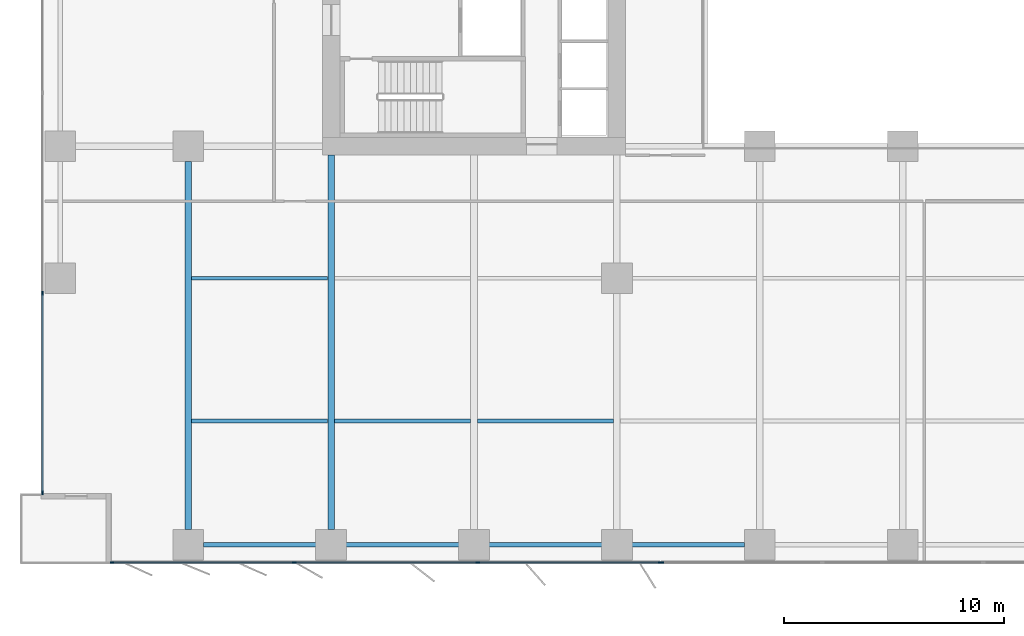
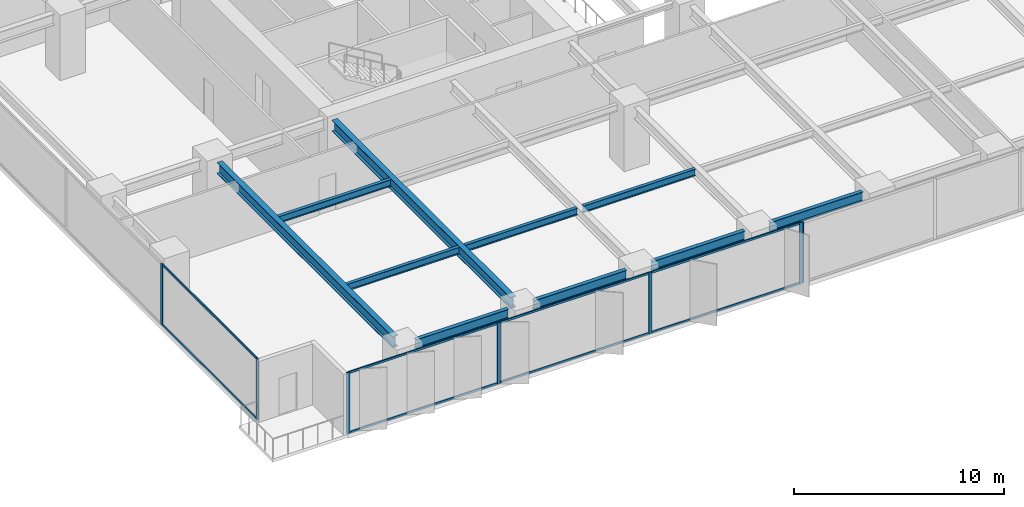
# One storey, part 2 of 20: 15 members, 10 beams, 3 elements without a shape of their own.
"""IFC4 building model written with IfcOpenShell, lengths in metres."""

from ifc_helpers import new_model, si_unit, direction, frame, origin, origin_2d, place, context, subcontext, project, spatial, rectangle, i_section, extrude, material, layer, layer_set, material_profile, profile_set, type_object, element, aggregate, save


model = new_model("IFC4")

# Units and contexts
model_context = context("Model", 3, precision=1e-05, world=origin(), true_north=direction((0.0, 1.0)))
body_context = subcontext(model_context, "Body", "Model", "MODEL_VIEW")
ifc_project = project(units=[si_unit("LENGTHUNIT", "METRE"), si_unit("AREAUNIT", "SQUARE_METRE"), si_unit("VOLUMEUNIT", "CUBIC_METRE"), si_unit("PLANEANGLEUNIT", "RADIAN"), si_unit("MASSUNIT", "GRAM", prefix="KILO")], contexts=[model_context])

# Site, building, storey
site_placement = place(None, origin())
site = spatial("IfcSite", under=ifc_project, at=site_placement, CompositionType="ELEMENT")
building_placement = place(site_placement, origin())
building = spatial("IfcBuilding", under=site, at=building_placement, Name="Putna Gate Headquarters", CompositionType="ELEMENT")
storey_placement = place(building_placement, frame((0.0, 0.0, 27.800048828125)))
storey = spatial("IfcBuildingStorey", under=building, at=storey_placement, Name="L05", CompositionType="ELEMENT", Elevation=27.800048828125)

# Beams
ifc_material_1 = material(Name="Steel S355J2", Category="steel")
ifc_material_profile_1 = material_profile(ifc_material_1, i_section(OverallWidth=0.300048828125, OverallDepth=0.64990234375, WebThickness=0.01611328125, FlangeThickness=0.031005859375, at=origin_2d()), Name="Steel S355J2")
ifc_profile_set_1 = profile_set([ifc_material_profile_1], Name="Steel S355J2")
beam_type_1 = type_object("IfcBeamType", Name="BM-GIRD-Z1-HEB650", PredefinedType="USERDEFINED", material=ifc_profile_set_1)
beam_1_placement = place(storey_placement, frame((6.5, 1.568115234375, 3.224853515625), z_axis=(0.0, 1.0, 0.0), x_axis=(-1.0, 0.0, 0.0)))
element("IfcBeam", 1, at=beam_1_placement, inside=storey, type_object=beam_type_1, Name="L05 South Primary Girder X6", ObjectType="GIRDER", PredefinedType="USERDEFINED", context=body_context, shape_type="SweptSolid", body=[
    extrude(i_section(OverallWidth=0.300048828125, OverallDepth=0.64990234375, WebThickness=0.01611328125, FlangeThickness=0.031005859375, at=origin_2d()), origin(), (0.0, 0.0, 1.0), 16.743896484375),
])
beam_2_placement = place(storey_placement, frame((13.0, 1.568115234375, 3.224853515625), z_axis=(0.0, 1.0, 0.0), x_axis=(-1.0, 0.0, 0.0)))
element("IfcBeam", 2, at=beam_2_placement, inside=storey, type_object=beam_type_1, Name="L05 South Primary Girder X13", ObjectType="GIRDER", PredefinedType="USERDEFINED", context=body_context, shape_type="SweptSolid", body=[
    extrude(i_section(OverallWidth=0.300048828125, OverallDepth=0.64990234375, WebThickness=0.01611328125, FlangeThickness=0.031005859375, at=origin_2d()), origin(), (0.0, 0.0, 1.0), 17.046875),
])
ifc_material_profile_2 = material_profile(ifc_material_1, i_section(OverallWidth=0.179931640625, OverallDepth=0.39990234375, WebThickness=0.008544921875, FlangeThickness=0.013427734375, at=origin_2d()), Name="Steel S355J2")
ifc_profile_set_2 = profile_set([ifc_material_profile_2], Name="Steel S355J2")
beam_type_2 = type_object("IfcBeamType", Name="BM-SEC-Z1-IPE400", PredefinedType="BEAM", material=ifc_profile_set_2)
for number, where, z_axis, x_axis, name in (
    (3, (6.654052734375, 6.5, 3.349853515625), (1.0, 0.0, 0.0), (0.0, 1.0, 0.0), "L05 South Secondary Beam 1"),
    (4, (6.654052734375, 13.0, 3.349853515625), (1.0, 0.0, 0.0), (0.0, 1.0, 0.0), "L05 South Secondary Beam 1"),
    (5, (13.154052734375, 6.5, 3.349853515625), (1.0, 0.0, 0.0), (0.0, 1.0, 0.0), "L05 South Secondary Beam 2"),
    (6, (19.654052734375, 6.5, 3.349853515625), (1.0, 0.0, 0.0), (0.0, 1.0, 0.0), "L05 South Secondary Beam 3"),
):
    element("IfcBeam", number, at=place(storey_placement, frame(where, z_axis=z_axis, x_axis=x_axis)), inside=storey, type_object=beam_type_2, Name=name, PredefinedType="BEAM", context=body_context, shape_type="SweptSolid", body=[
        extrude(i_section(OverallWidth=0.179931640625, OverallDepth=0.39990234375, WebThickness=0.008544921875, FlangeThickness=0.013427734375, at=origin_2d()), origin(), (0.0, 0.0, 1.0), 6.19189453125),
    ])
ifc_material_profile_3 = material_profile(ifc_material_1, i_section(OverallWidth=0.2099609375, OverallDepth=0.550048828125, WebThickness=0.010986328125, FlangeThickness=0.01708984375, at=origin_2d()), Name="Steel S355J2")
ifc_profile_set_3 = profile_set([ifc_material_profile_3], Name="Steel S355J2")
beam_type_3 = type_object("IfcBeamType", Name="BM-SPAN-Z1-IPE550", PredefinedType="SPANDREL", material=ifc_profile_set_3)
for number, where, z_axis, x_axis, name in (
    (7, (7.18798828125, 0.8798828125, 3.27490234375), (1.0, 0.0, 0.0), (0.0, 1.0, 0.0), "L05 S Perimeter Spandrel 1"),
    (8, (13.68798828125, 0.8798828125, 3.27490234375), (1.0, 0.0, 0.0), (0.0, 1.0, 0.0), "L05 S Perimeter Spandrel 2"),
    (9, (20.18798828125, 0.8798828125, 3.27490234375), (1.0, 0.0, 0.0), (0.0, 1.0, 0.0), "L05 S Perimeter Spandrel 3"),
    (10, (26.68798828125, 0.8798828125, 3.27490234375), (1.0, 0.0, 0.0), (0.0, 1.0, 0.0), "L05 S Perimeter Spandrel 4"),
):
    element("IfcBeam", number, at=place(storey_placement, frame(where, z_axis=z_axis, x_axis=x_axis)), inside=storey, type_object=beam_type_3, Name=name, PredefinedType="SPANDREL", context=body_context, shape_type="SweptSolid", body=[
        extrude(i_section(OverallWidth=0.2099609375, OverallDepth=0.550048828125, WebThickness=0.010986328125, FlangeThickness=0.01708984375, at=origin_2d()), origin(), (0.0, 0.0, 1.0), 5.1240234375),
    ])

# Curtain wall, members
ifc_material_2 = material(Name="Anodised bronze aluminium curtain wall", Category="aluminium")
ifc_layer_1 = layer(ifc_material_2, 0.179931640625)
ifc_layer_set_1 = layer_set([ifc_layer_1], Name="Anodised bronze aluminium curtain wall")
curtain_wall_type_1 = type_object("IfcCurtainWallType", Name="CW-SYS-Z1", PredefinedType="USERDEFINED", material=ifc_layer_set_1)
curtain_wall_1_placement = place(storey_placement, origin())
curtain_wall_1 = element("IfcCurtainWall", 11, at=curtain_wall_1_placement, inside=storey, type_object=curtain_wall_type_1, Name="L05 South West Curtain Wall", ObjectType="STICK CURTAIN WALL", PredefinedType="USERDEFINED")
ifc_material_3 = material(Name="Anodised bronze aluminium EN AW-6060", Category="aluminium")
ifc_material_profile_4 = material_profile(ifc_material_3, rectangle(XDim=0.070068359375, YDim=0.179931640625, at=origin_2d()), Name="Anodised bronze aluminium EN AW-6060")
ifc_profile_set_4 = profile_set([ifc_material_profile_4], Name="Anodised bronze aluminium EN AW-6060")
member_type_1 = type_object("IfcMemberType", Name="MULL-CWM-1", PredefinedType="MULLION", material=ifc_profile_set_4)
member_1_placement = place(storey_placement, frame((3.034912109375, 0.080078125, 0.0), z_axis=(0.0, 0.0, 1.0), x_axis=(0.0, 1.0, 0.0)))
member_1 = element("IfcMember", 12, at=member_1_placement, type_object=member_type_1, Name="CWS-1 mullion 1", PredefinedType="MULLION", context=body_context, shape_type="SweptSolid", body=[
    extrude(rectangle(XDim=0.070068359375, YDim=0.179931640625, at=origin_2d()), origin(), (0.0, 0.0, 1.0), 3.550048828125),
])
member_2_placement = place(storey_placement, frame((11.333251953125, 0.080078125, 0.0), z_axis=(0.0, 0.0, 1.0), x_axis=(0.0, 1.0, 0.0)))
member_2 = element("IfcMember", 13, at=member_2_placement, type_object=member_type_1, Name="CWS-1 mullion 2", PredefinedType="MULLION", context=body_context, shape_type="SweptSolid", body=[
    extrude(rectangle(XDim=0.070068359375, YDim=0.179931640625, at=origin_2d()), origin(), (0.0, 0.0, 1.0), 3.550048828125),
])
member_3_placement = place(storey_placement, frame((19.666748046875, 0.080078125, 0.0), z_axis=(0.0, 0.0, 1.0), x_axis=(0.0, 1.0, 0.0)))
member_3 = element("IfcMember", 14, at=member_3_placement, type_object=member_type_1, Name="CWS-1 mullion 3", PredefinedType="MULLION", context=body_context, shape_type="SweptSolid", body=[
    extrude(rectangle(XDim=0.070068359375, YDim=0.179931640625, at=origin_2d()), origin(), (0.0, 0.0, 1.0), 3.550048828125),
])
member_4_placement = place(storey_placement, frame((27.965087890625, 0.080078125, 0.0), z_axis=(0.0, 0.0, 1.0), x_axis=(0.0, 1.0, 0.0)))
member_4 = element("IfcMember", 15, at=member_4_placement, type_object=member_type_1, Name="CWS-1 mullion 4", PredefinedType="MULLION", context=body_context, shape_type="SweptSolid", body=[
    extrude(rectangle(XDim=0.070068359375, YDim=0.179931640625, at=origin_2d()), origin(), (0.0, 0.0, 1.0), 3.550048828125),
])

curtain_wall_2_placement = place(storey_placement, origin())
curtain_wall_2 = element("IfcCurtainWall", 16, at=curtain_wall_2_placement, inside=storey, type_object=curtain_wall_type_1, Name="L05 West Curtain Wall", ObjectType="STICK CURTAIN WALL", PredefinedType="USERDEFINED")
member_5_placement = place(storey_placement, frame((-0.1201171875, 3.235107421875, 0.0), z_axis=(0.0, 0.0, 1.0), x_axis=(-1.0, 0.0, 0.0)))
member_5 = element("IfcMember", 17, at=member_5_placement, type_object=member_type_1, Name="CWS-1 mullion 1", PredefinedType="MULLION", context=body_context, shape_type="SweptSolid", body=[
    extrude(rectangle(XDim=0.070068359375, YDim=0.179931640625, at=origin_2d()), origin(), (0.0, 0.0, 1.0), 3.550048828125),
])
member_6_placement = place(storey_placement, frame((-0.1201171875, 12.320068359375, 0.0), z_axis=(0.0, 0.0, 1.0), x_axis=(-1.0, 0.0, 0.0)))
member_6 = element("IfcMember", 18, at=member_6_placement, type_object=member_type_1, Name="CWS-1 mullion 2", PredefinedType="MULLION", context=body_context, shape_type="SweptSolid", body=[
    extrude(rectangle(XDim=0.070068359375, YDim=0.179931640625, at=origin_2d()), origin(), (0.0, 0.0, 1.0), 3.550048828125),
])

# Curtain wall, member
ifc_layer_2 = layer(ifc_material_2, 0.179931640625)
ifc_layer_set_2 = layer_set([ifc_layer_2], Name="Anodised bronze aluminium curtain wall")
curtain_wall_type_2 = type_object("IfcCurtainWallType", Name="CW-SYS-ATR", PredefinedType="USERDEFINED", material=ifc_layer_set_2)
curtain_wall_3_placement = place(storey_placement, origin())
curtain_wall_3 = element("IfcCurtainWall", 19, at=curtain_wall_3_placement, inside=storey, type_object=curtain_wall_type_2, Name="L05 South Atrium Clear Glazing", ObjectType="ATRIUM GLAZING", PredefinedType="USERDEFINED")
ifc_material_profile_5 = material_profile(ifc_material_3, rectangle(XDim=0.070068359375, YDim=0.179931640625, at=origin_2d()), Name="Anodised bronze aluminium EN AW-6060")
ifc_profile_set_5 = profile_set([ifc_material_profile_5], Name="Anodised bronze aluminium EN AW-6060")
member_type_2 = type_object("IfcMemberType", Name="MULL-CWM-AT", PredefinedType="MULLION", material=ifc_profile_set_5)
member_7_placement = place(storey_placement, frame((28.034912109375, 0.080078125, 0.0), z_axis=(0.0, 0.0, 1.0), x_axis=(0.0, 1.0, 0.0)))
member_7 = element("IfcMember", 20, at=member_7_placement, type_object=member_type_2, Name="CWS-AT mullion 1", PredefinedType="MULLION", context=body_context, shape_type="SweptSolid", body=[
    extrude(rectangle(XDim=0.070068359375, YDim=0.179931640625, at=origin_2d()), origin(), (0.0, 0.0, 1.0), 3.550048828125),
])
aggregate(curtain_wall_3, [member_7])

# Member
ifc_material_profile_6 = material_profile(ifc_material_3, rectangle(XDim=0.06494140625, YDim=0.1201171875, at=origin_2d()), Name="Anodised bronze aluminium EN AW-6060")
ifc_profile_set_6 = profile_set([ifc_material_profile_6], Name="Anodised bronze aluminium EN AW-6060")
member_type_3 = type_object("IfcMemberType", Name="TRAN-CWT-1", PredefinedType="USERDEFINED", material=ifc_profile_set_6)
member_8_placement = place(storey_placement, frame((3.070068359375, 0.080078125, 0.032470703125), z_axis=(1.0, 0.0, 0.0), x_axis=(0.0, 1.0, 0.0)))
member_8 = element("IfcMember", 21, at=member_8_placement, type_object=member_type_3, Name="CWS-1 transom 1.1", ObjectType="TRANSOM", PredefinedType="USERDEFINED", context=body_context, shape_type="SweptSolid", body=[
    extrude(rectangle(XDim=0.06494140625, YDim=0.1201171875, at=origin_2d()), origin(), (0.0, 0.0, 1.0), 8.228271484375),
])

member_9_placement = place(storey_placement, frame((3.070068359375, 0.080078125, 3.517333984375), z_axis=(1.0, 0.0, 0.0), x_axis=(0.0, 1.0, 0.0)))
member_9 = element("IfcMember", 22, at=member_9_placement, type_object=member_type_3, Name="CWS-1 transom 1.2", ObjectType="TRANSOM", PredefinedType="USERDEFINED", context=body_context, shape_type="SweptSolid", body=[
    extrude(rectangle(XDim=0.06494140625, YDim=0.1201171875, at=origin_2d()), origin(), (0.0, 0.0, 1.0), 8.228271484375),
])

member_10_placement = place(storey_placement, frame((11.368408203125, 0.080078125, 0.032470703125), z_axis=(1.0, 0.0, 0.0), x_axis=(0.0, 1.0, 0.0)))
member_10 = element("IfcMember", 23, at=member_10_placement, type_object=member_type_3, Name="CWS-1 transom 2.1", ObjectType="TRANSOM", PredefinedType="USERDEFINED", context=body_context, shape_type="SweptSolid", body=[
    extrude(rectangle(XDim=0.06494140625, YDim=0.1201171875, at=origin_2d()), origin(), (0.0, 0.0, 1.0), 8.26318359375),
])

member_11_placement = place(storey_placement, frame((11.368408203125, 0.080078125, 3.517333984375), z_axis=(1.0, 0.0, 0.0), x_axis=(0.0, 1.0, 0.0)))
member_11 = element("IfcMember", 24, at=member_11_placement, type_object=member_type_3, Name="CWS-1 transom 2.2", ObjectType="TRANSOM", PredefinedType="USERDEFINED", context=body_context, shape_type="SweptSolid", body=[
    extrude(rectangle(XDim=0.06494140625, YDim=0.1201171875, at=origin_2d()), origin(), (0.0, 0.0, 1.0), 8.26318359375),
])

member_12_placement = place(storey_placement, frame((19.70166015625, 0.080078125, 0.032470703125), z_axis=(1.0, 0.0, 0.0), x_axis=(0.0, 1.0, 0.0)))
member_12 = element("IfcMember", 25, at=member_12_placement, type_object=member_type_3, Name="CWS-1 transom 3.1", ObjectType="TRANSOM", PredefinedType="USERDEFINED", context=body_context, shape_type="SweptSolid", body=[
    extrude(rectangle(XDim=0.06494140625, YDim=0.1201171875, at=origin_2d()), origin(), (0.0, 0.0, 1.0), 8.228271484375),
])

member_13_placement = place(storey_placement, frame((19.70166015625, 0.080078125, 3.517333984375), z_axis=(1.0, 0.0, 0.0), x_axis=(0.0, 1.0, 0.0)))
member_13 = element("IfcMember", 26, at=member_13_placement, type_object=member_type_3, Name="CWS-1 transom 3.2", ObjectType="TRANSOM", PredefinedType="USERDEFINED", context=body_context, shape_type="SweptSolid", body=[
    extrude(rectangle(XDim=0.06494140625, YDim=0.1201171875, at=origin_2d()), origin(), (0.0, 0.0, 1.0), 8.228271484375),
])

aggregate(curtain_wall_1, [member_1, member_2, member_3, member_4, member_8, member_9, member_10, member_11, member_12, member_13])

member_14_placement = place(storey_placement, frame((-0.1201171875, 3.27001953125, 0.032470703125), z_axis=(0.0, 1.0, 0.0), x_axis=(-1.0, 0.0, 0.0)))
member_14 = element("IfcMember", 27, at=member_14_placement, type_object=member_type_3, Name="CWS-1 transom 1.1", ObjectType="TRANSOM", PredefinedType="USERDEFINED", context=body_context, shape_type="SweptSolid", body=[
    extrude(rectangle(XDim=0.06494140625, YDim=0.1201171875, at=origin_2d()), origin(), (0.0, 0.0, 1.0), 9.014892578125),
])

member_15_placement = place(storey_placement, frame((-0.1201171875, 3.27001953125, 3.517333984375), z_axis=(0.0, 1.0, 0.0), x_axis=(-1.0, 0.0, 0.0)))
member_15 = element("IfcMember", 28, at=member_15_placement, type_object=member_type_3, Name="CWS-1 transom 1.2", ObjectType="TRANSOM", PredefinedType="USERDEFINED", context=body_context, shape_type="SweptSolid", body=[
    extrude(rectangle(XDim=0.06494140625, YDim=0.1201171875, at=origin_2d()), origin(), (0.0, 0.0, 1.0), 9.014892578125),
])

aggregate(curtain_wall_2, [member_5, member_6, member_14, member_15])

save(model, "model.ifc")
